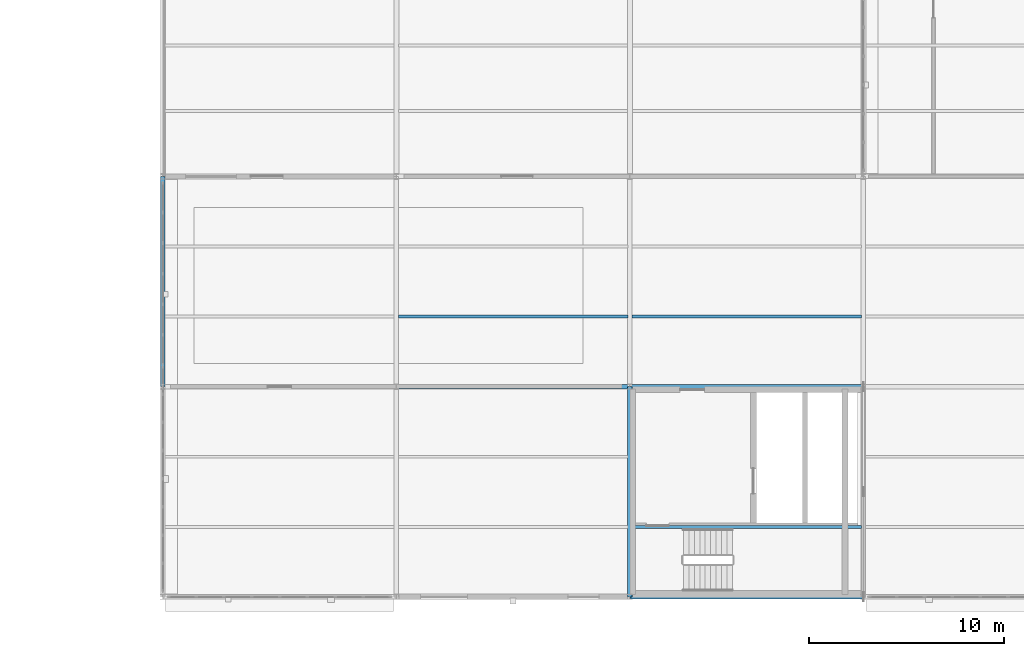
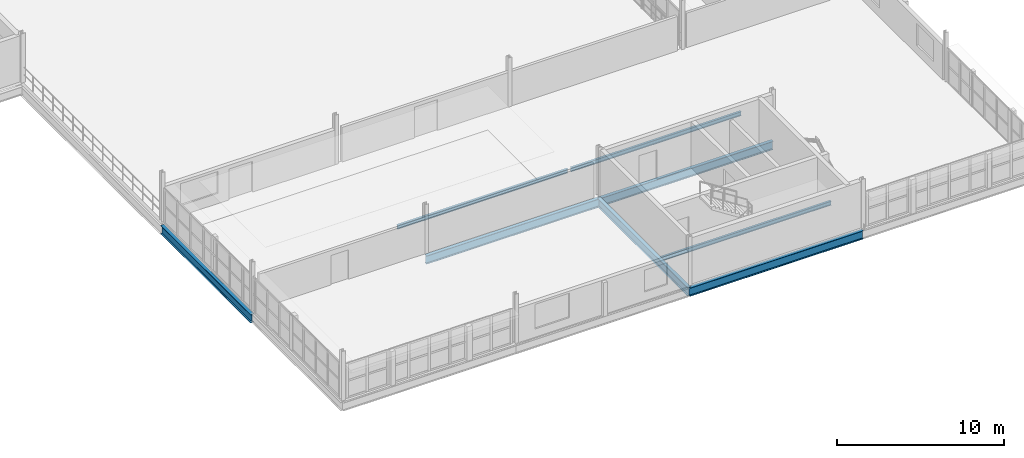
# One storey, part 34 of 74: 8 beams.
"""IFC4 building model written with IfcOpenShell, lengths in metres."""

import ifcopenshell
import ifcopenshell.guid

model = None  # the IFC model being written
_history = None  # IfcOwnerHistory: only IFC2X3 demands one
_inside = {}  # id of a spatial element -> (the spatial element, [elements in it])
_under = {}  # id of a project, library or spatial element -> (it, [spatial elements below it])
_declared = {}  # id of a project -> (the project, [libraries it declares])
_typed = {}  # id of a type object -> (the type object, [elements of that type])
_made_of = {}  # id of a material, layer set ... -> (it, [elements and type objects made of it])


def new_model(schema):
    """Start an empty IFC model of exactly this schema.

    Asked for "IFC4X3", IfcOpenShell would pick the latest addendum, in which some entities
    have other attributes; the version numbers below select the first issue.
    IFC2X3 requires an IfcOwnerHistory on every rooted entity: one is made here for all.
    """
    global model, _history
    if schema == "IFC4X3":
        model = ifcopenshell.file(schema_version=(4, 3, 0, 0))
    else:
        model = ifcopenshell.file(schema=schema)
    _inside.clear()
    _under.clear()
    _declared.clear()
    _typed.clear()
    _made_of.clear()
    _history = None
    if model.schema == "IFC2X3":
        org = make("IfcOrganization", Name="unknown")
        user = make(
            "IfcPersonAndOrganization",
            ThePerson=make("IfcPerson", FamilyName="unknown"),
            TheOrganization=org,
        )
        app = make(
            "IfcApplication",
            ApplicationDeveloper=org,
            Version="unknown",
            ApplicationFullName="unknown",
            ApplicationIdentifier="unknown",
        )
        _history = make(
            "IfcOwnerHistory",
            OwningUser=user,
            OwningApplication=app,
            ChangeAction="ADDED",
            CreationDate=0,
        )
    return model


def make(cls, **values):
    """One entity of the class cls with the attributes given. An attribute that is None is left unset."""
    return model.create_entity(
        cls, **{name: value for name, value in values.items() if value is not None}
    )


def rooted(cls, **values):
    """An entity with a GlobalId (a new one), such as an element, a storey or a relation."""
    return make(cls, GlobalId=ifcopenshell.guid.new(), OwnerHistory=_history, **values)


def si_unit(unit_type, name, prefix=None):
    """IfcSIUnit, for example si_unit("LENGTHUNIT", "METRE", prefix="MILLI")."""
    return make("IfcSIUnit", UnitType=unit_type, Prefix=prefix, Name=name)


def assignment(units):
    """IfcUnitAssignment: the units of a project."""
    return None if units is None else make("IfcUnitAssignment", Units=units)


def point(xyz):
    """IfcCartesianPoint."""
    return None if xyz is None else make("IfcCartesianPoint", Coordinates=xyz)


def direction(xyz):
    """IfcDirection."""
    return None if xyz is None else make("IfcDirection", DirectionRatios=xyz)


def frame(location, z_axis=None, x_axis=None):
    """IfcAxis2Placement3D, a coordinate frame: its origin and axes. An axis left out is left unset."""
    return make(
        "IfcAxis2Placement3D",
        Location=point(location),
        Axis=direction(z_axis),
        RefDirection=direction(x_axis),
    )


def frame_2d(location, x_axis=None):
    """IfcAxis2Placement2D, a coordinate frame in the plane: its origin and x axis."""
    return make(
        "IfcAxis2Placement2D", Location=point(location), RefDirection=direction(x_axis)
    )


def origin():
    """The frame at (0, 0, 0) with its axes left unset."""
    return frame((0.0, 0.0, 0.0))


def origin_2d():
    """The frame at (0, 0) in the plane with its x axis left unset."""
    return frame_2d((0.0, 0.0))


def place(relative_to, where):
    """IfcLocalPlacement: puts the frame where relative to a parent placement (None: the world)."""
    return make(
        "IfcLocalPlacement", PlacementRelTo=relative_to, RelativePlacement=where
    )


def context(
    kind, dimensions, precision=None, world=None, true_north=None, identifier=None
):
    """IfcGeometricRepresentationContext, for example the 3D "Model" context."""
    return make(
        "IfcGeometricRepresentationContext",
        ContextIdentifier=identifier,
        ContextType=kind,
        CoordinateSpaceDimension=dimensions,
        Precision=precision,
        WorldCoordinateSystem=world,
        TrueNorth=true_north,
    )


def subcontext(parent, identifier, kind, view, scale=None):
    """IfcGeometricRepresentationSubContext, for example "Body" below "Model"."""
    return make(
        "IfcGeometricRepresentationSubContext",
        ContextIdentifier=identifier,
        ContextType=kind,
        ParentContext=parent,
        TargetScale=scale,
        TargetView=view,
    )


def project(units=None, contexts=None):
    """IfcProject with its units and contexts."""
    return rooted(
        "IfcProject",
        Name="project",
        RepresentationContexts=contexts,
        UnitsInContext=assignment(units),
    )


def spatial(cls, under=None, at=None, **own):
    """A site, building, storey or space (cls), placed at a placement, below another one or the project."""
    s = rooted(cls, ObjectPlacement=at, **own)
    if under is not None:
        _under.setdefault(under.id(), (under, []))[1].append(s)
    return s


def profile(cls, at=None, kind="AREA", **sizes):
    """A parametric profile (cls). Its sizes go by their IFC names, for example OverallWidth=200.0."""
    return make(cls, ProfileType=kind, Position=at, **sizes)


def i_section(**sizes):
    """IfcIShapeProfileDef."""
    return profile("IfcIShapeProfileDef", **sizes)


def extrude(swept, where, along, depth):
    """IfcExtrudedAreaSolid: the profile swept, set in the frame where, extruded along a direction by depth."""
    return make(
        "IfcExtrudedAreaSolid",
        SweptArea=swept,
        Position=where,
        ExtrudedDirection=direction(along),
        Depth=depth,
    )


def shape(context_of_items, identifier, shape_type, items):
    """IfcShapeRepresentation: the items that make up one representation, for example the "Body"."""
    return make(
        "IfcShapeRepresentation",
        ContextOfItems=context_of_items,
        RepresentationIdentifier=identifier,
        RepresentationType=shape_type,
        Items=items,
    )


def material(Name=None, Category=None):
    """IfcMaterial."""
    return make("IfcMaterial", Name=Name, Category=Category)


def material_profile(
    of_material, cross_section, Name=None, Category=None, Priority=None
):
    """IfcMaterialProfile: a cross section and its material."""
    return make(
        "IfcMaterialProfile",
        Name=Name,
        Material=of_material,
        Profile=cross_section,
        Priority=Priority,
        Category=Category,
    )


def profile_set(profiles, Name=None, composite=None):
    """IfcMaterialProfileSet."""
    return make(
        "IfcMaterialProfileSet",
        Name=Name,
        MaterialProfiles=profiles,
        CompositeProfile=composite,
    )


def made_of(thing, what):
    """Note that an element or type object is made of a material, layer set ...; save() writes the relation."""
    if what is not None:
        _made_of.setdefault(what.id(), (what, []))[1].append(thing)
    return thing


def type_object(cls, material=None, **own):
    """A type object (cls), such as IfcWallType, which elements share."""
    return made_of(rooted(cls, **own), material)


def element(
    cls,
    number,
    at=None,
    inside=None,
    cuts=None,
    type_object=None,
    material=None,
    context=None,
    identifier="Body",
    shape_type=None,
    held_by="IfcProductDefinitionShape",
    body=None,
    shapes=None,
    **own,
):
    """One element of the class cls, such as IfcWall. Its Tag is "e" and its number.

    at: its placement. inside: the storey or other place that contains it. cuts: it is an
    opening in that element (IfcRelVoidsElement). A single representation is given by context,
    identifier, shape_type and body (its items); several are given by shapes. held_by: the class
    of the entity that holds the representations. save() writes the other relations.
    """
    e = rooted(cls, Tag="e%d" % number, ObjectPlacement=at, **own)
    if body is not None:
        shapes = [shape(context, identifier, shape_type, body)]
    if shapes is not None:
        e.Representation = make(held_by, Representations=shapes)
    if inside is not None:
        _inside.setdefault(inside.id(), (inside, []))[1].append(e)
    if cuts is not None:
        rooted(
            "IfcRelVoidsElement", RelatingBuildingElement=cuts, RelatedOpeningElement=e
        )
    if type_object is not None:
        _typed.setdefault(type_object.id(), (type_object, []))[1].append(e)
    return made_of(e, material)


def aggregate(whole, parts):
    """IfcRelAggregates: a whole, such as a stair, and the parts it consists of."""
    return rooted("IfcRelAggregates", RelatingObject=whole, RelatedObjects=parts)


def save(model, path):
    """Write the relations noted so far, then the file.

    IfcRelAggregates (storeys below a building ...), IfcRelContainedInSpatialStructure (elements
    in a storey), IfcRelDefinesByType, IfcRelAssociatesMaterial and IfcRelDeclares: one each for
    every whole, place, type object, material and project.
    """
    for whole, parts in _under.values():
        aggregate(whole, parts)
    for where, things in _inside.values():
        rooted(
            "IfcRelContainedInSpatialStructure",
            RelatedElements=things,
            RelatingStructure=where,
        )
    for kind, things in _typed.values():
        rooted("IfcRelDefinesByType", RelatedObjects=things, RelatingType=kind)
    for what, things in _made_of.values():
        rooted("IfcRelAssociatesMaterial", RelatedObjects=things, RelatingMaterial=what)
    for by, libraries in _declared.values():
        rooted("IfcRelDeclares", RelatingContext=by, RelatedDefinitions=libraries)
    model.write(path)


model = new_model("IFC4")

# Units and contexts
model_context = context("Model", 3, precision=1e-05, world=origin(), true_north=direction((0.0, 1.0)))
body_context = subcontext(model_context, "Body", "Model", "MODEL_VIEW")
ifc_project = project(units=[si_unit("LENGTHUNIT", "METRE"), si_unit("AREAUNIT", "SQUARE_METRE"), si_unit("VOLUMEUNIT", "CUBIC_METRE"), si_unit("PLANEANGLEUNIT", "RADIAN"), si_unit("MASSUNIT", "GRAM", prefix="KILO"), si_unit("THERMODYNAMICTEMPERATUREUNIT", "KELVIN"), si_unit("POWERUNIT", "WATT")], contexts=[model_context])

# Site, building, storey
site_placement = place(None, origin())
site = spatial("IfcSite", under=ifc_project, at=site_placement, CompositionType="ELEMENT")
building_placement = place(site_placement, origin())
building = spatial("IfcBuilding", under=site, at=building_placement, Name="Tembeka Court Mobility Hub", CompositionType="ELEMENT")
storey_placement = place(building_placement, frame((0.0, 0.0, 12.60009765625)))
storey = spatial("IfcBuildingStorey", under=building, at=storey_placement, Name="L03", CompositionType="ELEMENT", Elevation=12.60009765625)

# Beams
ifc_material = material(Name="Steel S355", Category="steel")
ifc_material_profile_1 = material_profile(ifc_material, i_section(OverallWidth=0.22900390625, OverallDepth=0.612060546875, WebThickness=0.011962890625, FlangeThickness=0.01953125, FilletRadius=0.0126953125, at=origin_2d()), Name="UKB 610x229x125")
ifc_profile_set_1 = profile_set([ifc_material_profile_1], Name="Steel S355")
beam_type_1 = type_object("IfcBeamType", Name="BM-G02", PredefinedType="USERDEFINED", material=ifc_profile_set_1)
for number, where, z_axis, x_axis, name in (
    (1, (152.39990234375, 0.0, -0.49609375), (1.0, 0.0, 0.0), (0.0, 1.0, 0.0), "Beam G02 (BM-L03-X1694)"),
    (2, (140.39990234375, 10.800048828125, -0.49609375), (1.0, 0.0, 0.0), (0.0, 1.0, 0.0), "Beam G02 (BM-L03-X1700)"),
    (3, (152.39990234375, 10.800048828125, -0.49609375), (1.0, 0.0, 0.0), (0.0, 1.0, 0.0), "Beam G02 (BM-L03-X1701)"),
):
    element("IfcBeam", number, at=place(storey_placement, frame(where, z_axis=z_axis, x_axis=x_axis)), inside=storey, type_object=beam_type_1, Name=name, ObjectType="GIRDER", PredefinedType="USERDEFINED", context=body_context, shape_type="SweptSolid", body=[
        extrude(i_section(OverallWidth=0.22900390625, OverallDepth=0.612060546875, WebThickness=0.011962890625, FlangeThickness=0.01953125, FilletRadius=0.0126953125, at=origin_2d()), origin(), (0.0, 0.0, 1.0), 12.0),
    ])
for number, where, z_axis, x_axis, name in (
    (4, (128.39990234375, 10.800048828125, -0.6259765625), (0.0, 1.0, 0.0), (-1.0, 0.0, 0.0), "Beam G02 (BM-L03-Y1923)"),
    (5, (152.39990234375, 0.0, -0.49609375), (0.0, 1.0, 0.0), (-1.0, 0.0, 0.0), "Beam G02 (BM-L03-Y1930)"),
):
    element("IfcBeam", number, at=place(storey_placement, frame(where, z_axis=z_axis, x_axis=x_axis)), inside=storey, type_object=beam_type_1, Name=name, ObjectType="GIRDER", PredefinedType="USERDEFINED", context=body_context, shape_type="SweptSolid", body=[
        extrude(i_section(OverallWidth=0.22900390625, OverallDepth=0.612060546875, WebThickness=0.011962890625, FlangeThickness=0.01953125, FilletRadius=0.0126953125, at=origin_2d()), origin(), (0.0, 0.0, 1.0), 10.800048828125),
    ])
ifc_material_profile_2 = material_profile(ifc_material, i_section(OverallWidth=0.14990234375, OverallDepth=0.300048828125, WebThickness=0.007080078125, FlangeThickness=0.0107421875, FilletRadius=0.014892578125, at=origin_2d()), Name="IPE 300")
ifc_profile_set_2 = profile_set([ifc_material_profile_2], Name="Steel S355")
beam_type_2 = type_object("IfcBeamType", Name="BM-J04", PredefinedType="JOIST", material=ifc_profile_set_2)
for number, where, z_axis, x_axis, name in (
    (6, (140.509521484375, 14.39990234375, -0.340087890625), (1.0, 0.0, 0.0), (0.0, 1.0, 0.0), "Beam J04 (JST-L03-2154)"),
    (7, (152.509521484375, 3.60009765625, -0.340087890625), (1.0, 0.0, 0.0), (0.0, 1.0, 0.0), "Beam J04 (JST-L03-2162)"),
    (8, (152.509521484375, 14.39990234375, -0.340087890625), (1.0, 0.0, 0.0), (0.0, 1.0, 0.0), "Beam J04 (JST-L03-2163)"),
):
    element("IfcBeam", number, at=place(storey_placement, frame(where, z_axis=z_axis, x_axis=x_axis)), inside=storey, type_object=beam_type_2, Name=name, PredefinedType="JOIST", context=body_context, shape_type="SweptSolid", body=[
        extrude(i_section(OverallWidth=0.14990234375, OverallDepth=0.300048828125, WebThickness=0.007080078125, FlangeThickness=0.0107421875, FilletRadius=0.014892578125, at=origin_2d()), origin(), (0.0, 0.0, 1.0), 11.781005859375),
    ])

save(model, "model.ifc")
